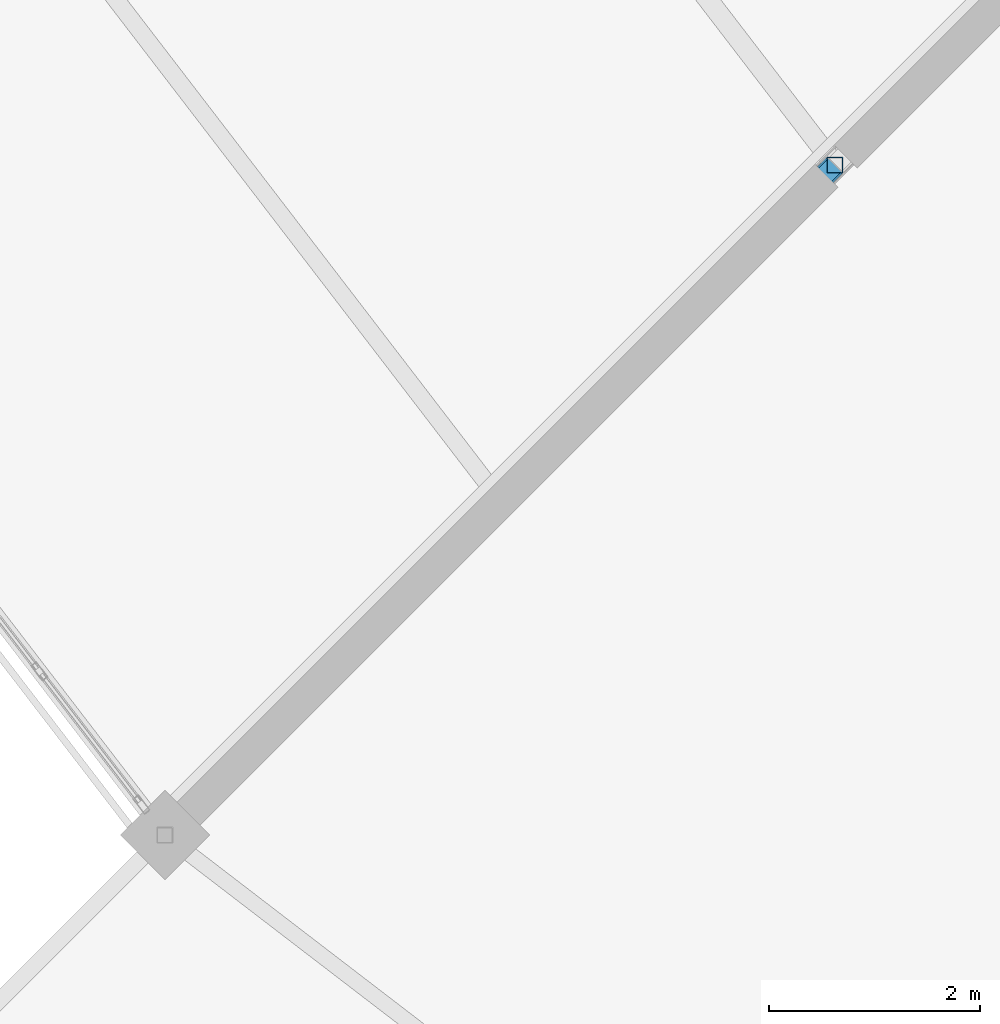
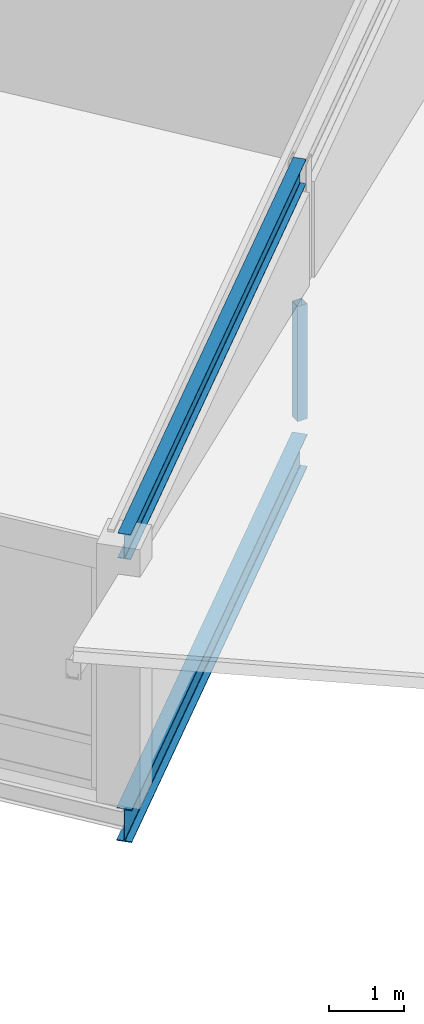
# One storey, part 35 of 200: 2 beams, 1 member.
"""IFC4 building model written with IfcOpenShell, lengths in metres."""

import ifcopenshell
import ifcopenshell.guid

model = None  # the IFC model being written
_history = None  # IfcOwnerHistory: only IFC2X3 demands one
_inside = {}  # id of a spatial element -> (the spatial element, [elements in it])
_under = {}  # id of a project, library or spatial element -> (it, [spatial elements below it])
_declared = {}  # id of a project -> (the project, [libraries it declares])
_typed = {}  # id of a type object -> (the type object, [elements of that type])
_made_of = {}  # id of a material, layer set ... -> (it, [elements and type objects made of it])


def new_model(schema):
    """Start an empty IFC model of exactly this schema.

    Asked for "IFC4X3", IfcOpenShell would pick the latest addendum, in which some entities
    have other attributes; the version numbers below select the first issue.
    IFC2X3 requires an IfcOwnerHistory on every rooted entity: one is made here for all.
    """
    global model, _history
    if schema == "IFC4X3":
        model = ifcopenshell.file(schema_version=(4, 3, 0, 0))
    else:
        model = ifcopenshell.file(schema=schema)
    _inside.clear()
    _under.clear()
    _declared.clear()
    _typed.clear()
    _made_of.clear()
    _history = None
    if model.schema == "IFC2X3":
        org = make("IfcOrganization", Name="unknown")
        user = make(
            "IfcPersonAndOrganization",
            ThePerson=make("IfcPerson", FamilyName="unknown"),
            TheOrganization=org,
        )
        app = make(
            "IfcApplication",
            ApplicationDeveloper=org,
            Version="unknown",
            ApplicationFullName="unknown",
            ApplicationIdentifier="unknown",
        )
        _history = make(
            "IfcOwnerHistory",
            OwningUser=user,
            OwningApplication=app,
            ChangeAction="ADDED",
            CreationDate=0,
        )
    return model


def make(cls, **values):
    """One entity of the class cls with the attributes given. An attribute that is None is left unset."""
    return model.create_entity(
        cls, **{name: value for name, value in values.items() if value is not None}
    )


def rooted(cls, **values):
    """An entity with a GlobalId (a new one), such as an element, a storey or a relation."""
    return make(cls, GlobalId=ifcopenshell.guid.new(), OwnerHistory=_history, **values)


def si_unit(unit_type, name, prefix=None):
    """IfcSIUnit, for example si_unit("LENGTHUNIT", "METRE", prefix="MILLI")."""
    return make("IfcSIUnit", UnitType=unit_type, Prefix=prefix, Name=name)


def assignment(units):
    """IfcUnitAssignment: the units of a project."""
    return None if units is None else make("IfcUnitAssignment", Units=units)


def point(xyz):
    """IfcCartesianPoint."""
    return None if xyz is None else make("IfcCartesianPoint", Coordinates=xyz)


def direction(xyz):
    """IfcDirection."""
    return None if xyz is None else make("IfcDirection", DirectionRatios=xyz)


def frame(location, z_axis=None, x_axis=None):
    """IfcAxis2Placement3D, a coordinate frame: its origin and axes. An axis left out is left unset."""
    return make(
        "IfcAxis2Placement3D",
        Location=point(location),
        Axis=direction(z_axis),
        RefDirection=direction(x_axis),
    )


def frame_2d(location, x_axis=None):
    """IfcAxis2Placement2D, a coordinate frame in the plane: its origin and x axis."""
    return make(
        "IfcAxis2Placement2D", Location=point(location), RefDirection=direction(x_axis)
    )


def origin():
    """The frame at (0, 0, 0) with its axes left unset."""
    return frame((0.0, 0.0, 0.0))


def origin_2d():
    """The frame at (0, 0) in the plane with its x axis left unset."""
    return frame_2d((0.0, 0.0))


def place(relative_to, where):
    """IfcLocalPlacement: puts the frame where relative to a parent placement (None: the world)."""
    return make(
        "IfcLocalPlacement", PlacementRelTo=relative_to, RelativePlacement=where
    )


def context(
    kind, dimensions, precision=None, world=None, true_north=None, identifier=None
):
    """IfcGeometricRepresentationContext, for example the 3D "Model" context."""
    return make(
        "IfcGeometricRepresentationContext",
        ContextIdentifier=identifier,
        ContextType=kind,
        CoordinateSpaceDimension=dimensions,
        Precision=precision,
        WorldCoordinateSystem=world,
        TrueNorth=true_north,
    )


def subcontext(parent, identifier, kind, view, scale=None):
    """IfcGeometricRepresentationSubContext, for example "Body" below "Model"."""
    return make(
        "IfcGeometricRepresentationSubContext",
        ContextIdentifier=identifier,
        ContextType=kind,
        ParentContext=parent,
        TargetScale=scale,
        TargetView=view,
    )


def project(units=None, contexts=None):
    """IfcProject with its units and contexts."""
    return rooted(
        "IfcProject",
        Name="project",
        RepresentationContexts=contexts,
        UnitsInContext=assignment(units),
    )


def spatial(cls, under=None, at=None, **own):
    """A site, building, storey or space (cls), placed at a placement, below another one or the project."""
    s = rooted(cls, ObjectPlacement=at, **own)
    if under is not None:
        _under.setdefault(under.id(), (under, []))[1].append(s)
    return s


def profile(cls, at=None, kind="AREA", **sizes):
    """A parametric profile (cls). Its sizes go by their IFC names, for example OverallWidth=200.0."""
    return make(cls, ProfileType=kind, Position=at, **sizes)


def hollow_rectangle(**sizes):
    """IfcRectangleHollowProfileDef."""
    return profile("IfcRectangleHollowProfileDef", **sizes)


def i_section(**sizes):
    """IfcIShapeProfileDef."""
    return profile("IfcIShapeProfileDef", **sizes)


def extrude(swept, where, along, depth):
    """IfcExtrudedAreaSolid: the profile swept, set in the frame where, extruded along a direction by depth."""
    return make(
        "IfcExtrudedAreaSolid",
        SweptArea=swept,
        Position=where,
        ExtrudedDirection=direction(along),
        Depth=depth,
    )


def shape(context_of_items, identifier, shape_type, items):
    """IfcShapeRepresentation: the items that make up one representation, for example the "Body"."""
    return make(
        "IfcShapeRepresentation",
        ContextOfItems=context_of_items,
        RepresentationIdentifier=identifier,
        RepresentationType=shape_type,
        Items=items,
    )


def material(Name=None, Category=None):
    """IfcMaterial."""
    return make("IfcMaterial", Name=Name, Category=Category)


def material_profile(
    of_material, cross_section, Name=None, Category=None, Priority=None
):
    """IfcMaterialProfile: a cross section and its material."""
    return make(
        "IfcMaterialProfile",
        Name=Name,
        Material=of_material,
        Profile=cross_section,
        Priority=Priority,
        Category=Category,
    )


def profile_set(profiles, Name=None, composite=None):
    """IfcMaterialProfileSet."""
    return make(
        "IfcMaterialProfileSet",
        Name=Name,
        MaterialProfiles=profiles,
        CompositeProfile=composite,
    )


def made_of(thing, what):
    """Note that an element or type object is made of a material, layer set ...; save() writes the relation."""
    if what is not None:
        _made_of.setdefault(what.id(), (what, []))[1].append(thing)
    return thing


def type_object(cls, material=None, **own):
    """A type object (cls), such as IfcWallType, which elements share."""
    return made_of(rooted(cls, **own), material)


def element(
    cls,
    number,
    at=None,
    inside=None,
    cuts=None,
    type_object=None,
    material=None,
    context=None,
    identifier="Body",
    shape_type=None,
    held_by="IfcProductDefinitionShape",
    body=None,
    shapes=None,
    **own,
):
    """One element of the class cls, such as IfcWall. Its Tag is "e" and its number.

    at: its placement. inside: the storey or other place that contains it. cuts: it is an
    opening in that element (IfcRelVoidsElement). A single representation is given by context,
    identifier, shape_type and body (its items); several are given by shapes. held_by: the class
    of the entity that holds the representations. save() writes the other relations.
    """
    e = rooted(cls, Tag="e%d" % number, ObjectPlacement=at, **own)
    if body is not None:
        shapes = [shape(context, identifier, shape_type, body)]
    if shapes is not None:
        e.Representation = make(held_by, Representations=shapes)
    if inside is not None:
        _inside.setdefault(inside.id(), (inside, []))[1].append(e)
    if cuts is not None:
        rooted(
            "IfcRelVoidsElement", RelatingBuildingElement=cuts, RelatedOpeningElement=e
        )
    if type_object is not None:
        _typed.setdefault(type_object.id(), (type_object, []))[1].append(e)
    return made_of(e, material)


def aggregate(whole, parts):
    """IfcRelAggregates: a whole, such as a stair, and the parts it consists of."""
    return rooted("IfcRelAggregates", RelatingObject=whole, RelatedObjects=parts)


def save(model, path):
    """Write the relations noted so far, then the file.

    IfcRelAggregates (storeys below a building ...), IfcRelContainedInSpatialStructure (elements
    in a storey), IfcRelDefinesByType, IfcRelAssociatesMaterial and IfcRelDeclares: one each for
    every whole, place, type object, material and project.
    """
    for whole, parts in _under.values():
        aggregate(whole, parts)
    for where, things in _inside.values():
        rooted(
            "IfcRelContainedInSpatialStructure",
            RelatedElements=things,
            RelatingStructure=where,
        )
    for kind, things in _typed.values():
        rooted("IfcRelDefinesByType", RelatedObjects=things, RelatingType=kind)
    for what, things in _made_of.values():
        rooted("IfcRelAssociatesMaterial", RelatedObjects=things, RelatingMaterial=what)
    for by, libraries in _declared.values():
        rooted("IfcRelDeclares", RelatingContext=by, RelatedDefinitions=libraries)
    model.write(path)


model = new_model("IFC4")

# Units and contexts
model_context = context("Model", 3, precision=1e-05, world=origin(), true_north=direction((0.0, 1.0)))
body_context = subcontext(model_context, "Body", "Model", "MODEL_VIEW")
ifc_project = project(units=[si_unit("LENGTHUNIT", "METRE"), si_unit("AREAUNIT", "SQUARE_METRE"), si_unit("VOLUMEUNIT", "CUBIC_METRE"), si_unit("PLANEANGLEUNIT", "RADIAN"), si_unit("MASSUNIT", "GRAM", prefix="KILO")], contexts=[model_context])

# Site, building, storey
site_placement = place(None, origin())
site = spatial("IfcSite", under=ifc_project, at=site_placement, CompositionType="ELEMENT")
building_placement = place(site_placement, origin())
building = spatial("IfcBuilding", under=site, at=building_placement, Name="Vondelvale Polytechnic", CompositionType="ELEMENT")
storey_placement = place(building_placement, frame((0.0, 0.0, 13.800048828125)))
storey = spatial("IfcBuildingStorey", under=building, at=storey_placement, Name="L03", CompositionType="ELEMENT", Elevation=13.800048828125)

# Beams
ifc_material_1 = material(Name="Steel 300PLUS (fy = 300 MPa)", Category="steel")
ifc_material_profile_1 = material_profile(ifc_material_1, i_section(OverallWidth=0.177978515625, OverallDepth=0.403076171875, WebThickness=0.007568359375, FlangeThickness=0.010986328125, FilletRadius=0.011474609375, at=origin_2d()), Name="410UB53.7")
ifc_profile_set_1 = profile_set([ifc_material_profile_1], Name="Steel 300PLUS (fy = 300 MPa)")
beam_type_1 = type_object("IfcBeamType", Name="BM-UB410L", PredefinedType="BEAM", material=ifc_profile_set_1)
beam_1_placement = place(storey_placement, frame((75.8369140625, 45.8369140625, 3.99853515625), z_axis=(-0.707106781187, -0.707106781187, 0.0), x_axis=(0.707106781187, -0.707106781187, 0.0)))
element("IfcBeam", 1, at=beam_1_placement, inside=storey, type_object=beam_type_1, Name="L03 REG B-23", PredefinedType="BEAM", context=body_context, shape_type="SweptSolid", body=[
    extrude(i_section(OverallWidth=0.177978515625, OverallDepth=0.403076171875, WebThickness=0.007568359375, FlangeThickness=0.010986328125, FilletRadius=0.011474609375, at=origin_2d()), origin(), (0.0, 0.0, 1.0), 8.999755859375),
])
ifc_material_profile_2 = material_profile(ifc_material_1, i_section(OverallWidth=0.208984375, OverallDepth=0.532958984375, WebThickness=0.01025390625, FlangeThickness=0.015625, FilletRadius=0.013916015625, at=origin_2d()), Name="530UB92.4")
ifc_profile_set_2 = profile_set([ifc_material_profile_2], Name="Steel 300PLUS (fy = 300 MPa)")
beam_type_2 = type_object("IfcBeamType", Name="BM-UB530", PredefinedType="BEAM", material=ifc_profile_set_2)
beam_2_placement = place(storey_placement, frame((75.8369140625, 45.8369140625, -0.5166015625), z_axis=(-0.707106781187, -0.707106781187, 0.0), x_axis=(0.707106781187, -0.707106781187, 0.0)))
element("IfcBeam", 2, at=beam_2_placement, inside=storey, type_object=beam_type_2, Name="L03 RG B-11", PredefinedType="BEAM", context=body_context, shape_type="SweptSolid", body=[
    extrude(i_section(OverallWidth=0.208984375, OverallDepth=0.532958984375, WebThickness=0.01025390625, FlangeThickness=0.015625, FilletRadius=0.013916015625, at=origin_2d()), origin(), (0.0, 0.0, 1.0), 8.999755859375),
])

# Member
ifc_material_2 = material(Name="Steel C350L0 (fy = 350 MPa)", Category="steel")
ifc_material_profile_3 = material_profile(ifc_material_2, hollow_rectangle(XDim=0.14990234375, YDim=0.14990234375, WallThickness=0.006103515625, at=origin_2d()), Name="150x150x6.0SHS")
ifc_profile_set_3 = profile_set([ifc_material_profile_3], Name="Steel C350L0 (fy = 350 MPa)")
member_type = type_object("IfcMemberType", Name="ROOF TRUSS POST 150SHS", PredefinedType="POST", material=ifc_profile_set_3)
member_placement = place(storey_placement, frame((75.8369140625, 45.8369140625, 0.0), z_axis=(0.0, 0.0, 1.0), x_axis=(1.0, 0.0, 0.0)))
element("IfcMember", 3, at=member_placement, inside=storey, type_object=member_type, Name="Ring mid roof post 15", PredefinedType="POST", context=body_context, shape_type="SweptSolid", body=[
    extrude(hollow_rectangle(XDim=0.14990234375, YDim=0.14990234375, WallThickness=0.006103515625, at=origin_2d()), origin(), (0.0, 0.0, 1.0), 1.86572265625),
])

save(model, "model.ifc")
